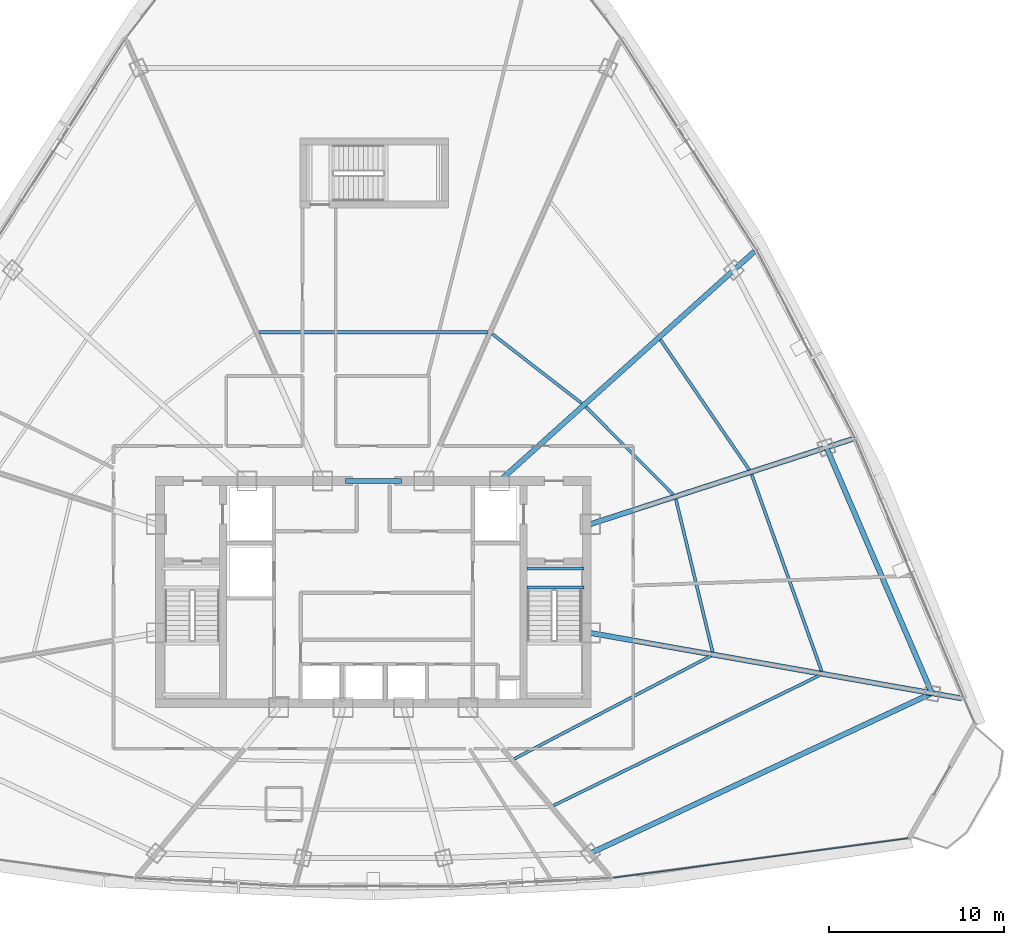
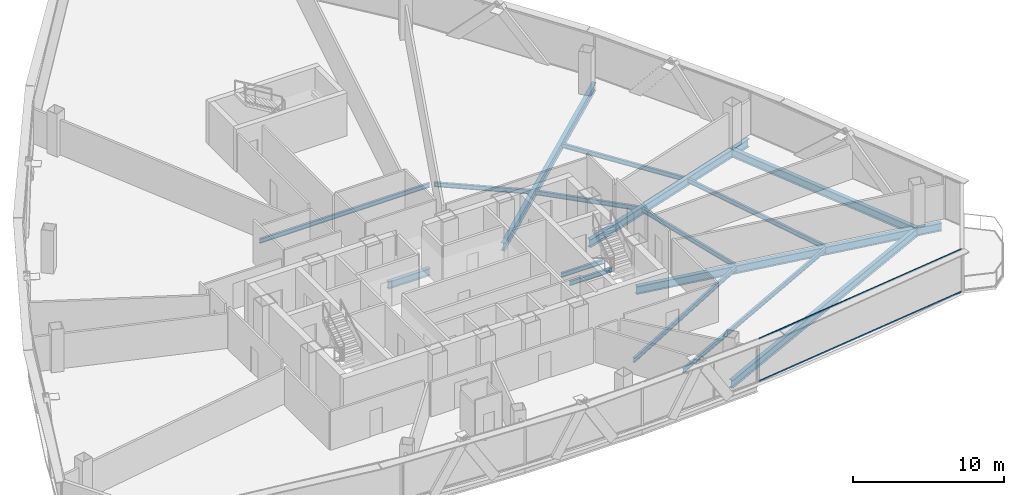
# One storey, part 15 of 37: 16 beams, 2 members, 1 element without a shape of its own.
"""IFC4 building model written with IfcOpenShell, lengths in metres."""

from ifc_helpers import new_model, si_unit, direction, frame, origin, origin_2d, place, context, subcontext, project, spatial, hollow_rectangle, i_section, extrude, source, transform, mapped, material, layer, layer_set, material_profile, profile_set, type_object, element, aggregate, save


model = new_model("IFC4")

# Units and contexts
model_context = context("Model", 3, precision=1e-05, world=origin(), true_north=direction((0.0, 1.0)))
body_context = subcontext(model_context, "Body", "Model", "MODEL_VIEW")
ifc_project = project(units=[si_unit("LENGTHUNIT", "METRE"), si_unit("AREAUNIT", "SQUARE_METRE"), si_unit("VOLUMEUNIT", "CUBIC_METRE"), si_unit("PLANEANGLEUNIT", "RADIAN"), si_unit("MASSUNIT", "GRAM", prefix="KILO"), si_unit("THERMODYNAMICTEMPERATUREUNIT", "KELVIN"), si_unit("POWERUNIT", "WATT")], contexts=[model_context])

# Site, building, storey
site_placement = place(None, origin())
site = spatial("IfcSite", under=ifc_project, at=site_placement, CompositionType="ELEMENT")
building_placement = place(site_placement, origin())
building = spatial("IfcBuilding", under=site, at=building_placement, Name="Yunzhuo Pagoda Commons", CompositionType="ELEMENT")
storey_placement = place(building_placement, frame((0.0, 0.0, 259.449951171875)))
storey = spatial("IfcBuildingStorey", under=building, at=storey_placement, Name="L65", CompositionType="ELEMENT", Elevation=259.449951171875)

# Beams
ifc_material_1 = material(Name="Structural steel Q355B", Category="steel")
ifc_material_profile_1 = material_profile(ifc_material_1, i_section(OverallWidth=0.175048828125, OverallDepth=0.35009765625, WebThickness=0.007080078125, FlangeThickness=0.010986328125, at=origin_2d()), Name="Structural steel Q355B")
ifc_profile_set_1 = profile_set([ifc_material_profile_1], Name="Structural steel Q355B")
beam_type_1 = type_object("IfcBeamType", Name="B-JS2 Joist HN 350x175x7x11", PredefinedType="JOIST", material=ifc_profile_set_1)
shared_shape_1 = source(origin(), body_context, "Body", "SweptSolid", [
    extrude(i_section(OverallWidth=0.175048828125, OverallDepth=0.35009765625, WebThickness=0.007080078125, FlangeThickness=0.010986328125, at=origin_2d()), origin(), (0.0, 0.0, 1.0), 3.25),
])
for number, where, z_axis, x_axis, name in (
    (1, (56.800048828125, 34.10009765625, -0.375), (1.0, 0.0, 0.0), (0.0, 1.0, 0.0), "L65 ST2 landing support beam 169A"),
    (2, (56.800048828125, 35.199951171875, -0.375), (1.0, 0.0, 0.0), (0.0, 1.0, 0.0), "L65 ST2 landing support beam 169B"),
):
    element("IfcBeam", number, at=place(storey_placement, frame(where, z_axis=z_axis, x_axis=x_axis)), inside=storey, type_object=beam_type_1, Name=name, PredefinedType="JOIST", context=body_context, shape_type="MappedRepresentation", body=[
        mapped(shared_shape_1, transform((0.0, 0.0, 0.0), scale=1.0)),
    ])
ifc_material_2 = material(Name="Structural steel Q420B", Category="steel")
ifc_material_profile_2 = material_profile(ifc_material_2, i_section(OverallWidth=0.300048828125, OverallDepth=0.587890625, WebThickness=0.011962890625, FlangeThickness=0.02001953125, at=origin_2d()), Name="Structural steel Q420B")
ifc_profile_set_2 = profile_set([ifc_material_profile_2], Name="Structural steel Q420B")
beam_type_2 = type_object("IfcBeamType", Name="B-CPL Beam HM 588x300x12x20", PredefinedType="BEAM", material=ifc_profile_set_2)
shared_shape_2 = source(origin(), body_context, "Body", "SweptSolid", [
    extrude(i_section(OverallWidth=0.300048828125, OverallDepth=0.587890625, WebThickness=0.011962890625, FlangeThickness=0.02001953125, at=origin_2d()), origin(), (0.0, 0.0, 1.0), 3.2001953125),
])
beam_1_placement = place(storey_placement, frame((46.39990234375, 40.199951171875, -0.553955078125), z_axis=(1.0, 0.0, 0.0), x_axis=(0.0, 1.0, 0.0)))
element("IfcBeam", 3, at=beam_1_placement, inside=storey, type_object=beam_type_2, Name="L65 core coupling girder", PredefinedType="BEAM", context=body_context, shape_type="MappedRepresentation", body=[
    mapped(shared_shape_2, transform((0.0, 0.0, 0.0), scale=1.0)),
])
ifc_material_profile_3 = material_profile(ifc_material_1, i_section(OverallWidth=0.300048828125, OverallDepth=0.64990234375, WebThickness=0.012939453125, FlangeThickness=0.02197265625, at=origin_2d()), Name="Structural steel Q355B")
ifc_profile_set_3 = profile_set([ifc_material_profile_3], Name="Structural steel Q355B")
beam_type_3 = type_object("IfcBeamType", Name="B-RG2 Beam HN 650x300x13x22", PredefinedType="BEAM", material=ifc_profile_set_3)
shared_shape_3 = source(origin(), body_context, "Body", "SweptSolid", [
    extrude(i_section(OverallWidth=0.300048828125, OverallDepth=0.64990234375, WebThickness=0.012939453125, FlangeThickness=0.02197265625, at=origin_2d()), origin(), (0.0, 0.0, 1.0), 21.56689453125),
])
beam_2_placement = place(storey_placement, frame((60.406982421875, 18.913818359375, -0.5849609375), z_axis=(0.905424265365, 0.424507832304, 0.0), x_axis=(-0.424507832304, 0.905424265365, 0.0)))
element("IfcBeam", 4, at=beam_2_placement, inside=storey, type_object=beam_type_3, Name="L65 column-ring beam 4", PredefinedType="BEAM", context=body_context, shape_type="MappedRepresentation", body=[
    mapped(shared_shape_3, transform((0.0, 0.0, 0.0), scale=1.0)),
])
shared_shape_4 = source(origin(), body_context, "Body", "SweptSolid", [
    extrude(i_section(OverallWidth=0.300048828125, OverallDepth=0.64990234375, WebThickness=0.012939453125, FlangeThickness=0.02197265625, at=origin_2d()), origin(), (0.0, 0.0, 1.0), 15.28759765625),
])
beam_3_placement = place(storey_placement, frame((79.93408203125, 28.069091796875, -0.5849609375), z_axis=(-0.394788372839, 0.918772083093, 0.0), x_axis=(-0.918772083093, -0.394788372839, 0.0)))
element("IfcBeam", 5, at=beam_3_placement, inside=storey, type_object=beam_type_3, Name="L65 column-ring beam 5", PredefinedType="BEAM", context=body_context, shape_type="MappedRepresentation", body=[
    mapped(shared_shape_4, transform((0.0, 0.0, 0.0), scale=1.0)),
])
shared_shape_5 = source(origin(), body_context, "Body", "SweptSolid", [
    extrude(i_section(OverallWidth=0.175048828125, OverallDepth=0.35009765625, WebThickness=0.007080078125, FlangeThickness=0.010986328125, at=origin_2d()), origin(), (0.0, 0.0, 1.0), 12.666259765625),
])
beam_4_placement = place(storey_placement, frame((56.0712890625, 24.32275390625, -0.43505859375), z_axis=(0.885841344078, 0.463988268302, 0.0), x_axis=(-0.463988268302, 0.885841344078, 0.0)))
element("IfcBeam", 6, at=beam_4_placement, inside=storey, type_object=beam_type_1, Name="L65 composite ring joist 1.4", PredefinedType="JOIST", context=body_context, shape_type="MappedRepresentation", body=[
    mapped(shared_shape_5, transform((0.0, 0.0, 0.0), scale=1.0)),
])
shared_shape_6 = source(origin(), body_context, "Body", "SweptSolid", [
    extrude(i_section(OverallWidth=0.175048828125, OverallDepth=0.35009765625, WebThickness=0.007080078125, FlangeThickness=0.010986328125, at=origin_2d()), origin(), (0.0, 0.0, 1.0), 16.95361328125),
])
beam_5_placement = place(storey_placement, frame((58.3115234375, 21.6513671875, -0.43505859375), z_axis=(0.898261717675, 0.439460904473, 0.0), x_axis=(-0.439460904473, 0.898261717675, 0.0)))
element("IfcBeam", 7, at=beam_5_placement, inside=storey, type_object=beam_type_1, Name="L65 composite ring joist 2.4", PredefinedType="JOIST", context=body_context, shape_type="MappedRepresentation", body=[
    mapped(shared_shape_6, transform((0.0, 0.0, 0.0), scale=1.0)),
])
shared_shape_7 = source(origin(), body_context, "Body", "SweptSolid", [
    extrude(i_section(OverallWidth=0.175048828125, OverallDepth=0.35009765625, WebThickness=0.007080078125, FlangeThickness=0.010986328125, at=origin_2d()), origin(), (0.0, 0.0, 1.0), 8.973876953125),
])
beam_6_placement = place(storey_placement, frame((67.395263671875, 30.42822265625, -0.43505859375), z_axis=(-0.233858589105, 0.972270620919, 0.0), x_axis=(-0.972270620919, -0.233858589105, 0.0)))
element("IfcBeam", 8, at=beam_6_placement, inside=storey, type_object=beam_type_1, Name="L65 composite ring joist 1.5", PredefinedType="JOIST", context=body_context, shape_type="MappedRepresentation", body=[
    mapped(shared_shape_7, transform((0.0, 0.0, 0.0), scale=1.0)),
])
shared_shape_8 = source(origin(), body_context, "Body", "SweptSolid", [
    extrude(i_section(OverallWidth=0.175048828125, OverallDepth=0.35009765625, WebThickness=0.007080078125, FlangeThickness=0.010986328125, at=origin_2d()), origin(), (0.0, 0.0, 1.0), 11.929931640625),
])
beam_7_placement = place(storey_placement, frame((73.6298828125, 29.3212890625, -0.43505859375), z_axis=(-0.335086374925, 0.942187413066, 0.0), x_axis=(-0.942187413066, -0.335086374925, 0.0)))
element("IfcBeam", 9, at=beam_7_placement, inside=storey, type_object=beam_type_1, Name="L65 composite ring joist 2.5", PredefinedType="JOIST", context=body_context, shape_type="MappedRepresentation", body=[
    mapped(shared_shape_8, transform((0.0, 0.0, 0.0), scale=1.0)),
])
shared_shape_9 = source(origin(), body_context, "Body", "SweptSolid", [
    extrude(i_section(OverallWidth=0.175048828125, OverallDepth=0.35009765625, WebThickness=0.007080078125, FlangeThickness=0.010986328125, at=origin_2d()), origin(), (0.0, 0.0, 1.0), 7.0732421875),
])
beam_8_placement = place(storey_placement, frame((65.147216796875, 39.42041015625, -0.43505859375), z_axis=(-0.706139657206, 0.708072584218, 0.0), x_axis=(-0.708072584218, -0.706139657206, 0.0)))
element("IfcBeam", 10, at=beam_8_placement, inside=storey, type_object=beam_type_1, Name="L65 composite ring joist 1.6", PredefinedType="JOIST", context=body_context, shape_type="MappedRepresentation", body=[
    mapped(shared_shape_9, transform((0.0, 0.0, 0.0), scale=1.0)),
])
shared_shape_10 = source(origin(), body_context, "Body", "SweptSolid", [
    extrude(i_section(OverallWidth=0.175048828125, OverallDepth=0.35009765625, WebThickness=0.007080078125, FlangeThickness=0.010986328125, at=origin_2d()), origin(), (0.0, 0.0, 1.0), 8.99365234375),
])
beam_9_placement = place(storey_placement, frame((69.4892578125, 40.8427734375, -0.43505859375), z_axis=(-0.564098900337, 0.825707230584, 0.0), x_axis=(-0.825707230584, -0.564098900337, 0.0)))
element("IfcBeam", 11, at=beam_9_placement, inside=storey, type_object=beam_type_1, Name="L65 composite ring joist 2.6", PredefinedType="JOIST", context=body_context, shape_type="MappedRepresentation", body=[
    mapped(shared_shape_10, transform((0.0, 0.0, 0.0), scale=1.0)),
])
shared_shape_11 = source(origin(), body_context, "Body", "SweptSolid", [
    extrude(i_section(OverallWidth=0.175048828125, OverallDepth=0.35009765625, WebThickness=0.007080078125, FlangeThickness=0.010986328125, at=origin_2d()), origin(), (0.0, 0.0, 1.0), 6.4677734375),
])
beam_10_placement = place(storey_placement, frame((59.914794921875, 44.638671875, -0.43505859375), z_axis=(-0.790160481991, 0.612900002202, 0.0), x_axis=(-0.612900002202, -0.790160481991, 0.0)))
element("IfcBeam", 12, at=beam_10_placement, inside=storey, type_object=beam_type_1, Name="L65 composite ring joist 1.7", PredefinedType="JOIST", context=body_context, shape_type="MappedRepresentation", body=[
    mapped(shared_shape_11, transform((0.0, 0.0, 0.0), scale=1.0)),
])
shared_shape_12 = source(origin(), body_context, "Body", "SweptSolid", [
    extrude(i_section(OverallWidth=0.175048828125, OverallDepth=0.35009765625, WebThickness=0.007080078125, FlangeThickness=0.010986328125, at=origin_2d()), origin(), (0.0, 0.0, 1.0), 13.0390625),
])
beam_11_placement = place(storey_placement, frame((54.51953125, 48.7001953125, -0.43505859375), z_axis=(-1.0, 0.0, 0.0), x_axis=(0.0, -1.0, 0.0)))
element("IfcBeam", 13, at=beam_11_placement, inside=storey, type_object=beam_type_1, Name="L65 composite ring joist 1.8", PredefinedType="JOIST", context=body_context, shape_type="MappedRepresentation", body=[
    mapped(shared_shape_12, transform((0.0, 0.0, 0.0), scale=1.0)),
])
shared_shape_13 = source(origin(), body_context, "Body", "SweptSolid", [
    extrude(i_section(OverallWidth=0.300048828125, OverallDepth=0.64990234375, WebThickness=0.012939453125, FlangeThickness=0.02197265625, at=origin_2d()), origin(), (0.0, 0.0, 1.0), 21.561279296875),
])
beam_12_placement = place(storey_placement, frame((81.633544921875, 27.76953125, -0.5849609375), z_axis=(-0.984809082291, 0.173640638784, 0.0), x_axis=(-0.173640638784, -0.984809082291, 0.0)))
element("IfcBeam", 14, at=beam_12_placement, inside=storey, type_object=beam_type_3, Name="L65 radial floor girder F2C1", PredefinedType="BEAM", context=body_context, shape_type="MappedRepresentation", body=[
    mapped(shared_shape_13, transform((0.0, 0.0, 0.0), scale=1.0)),
])
shared_shape_14 = source(origin(), body_context, "Body", "SweptSolid", [
    extrude(i_section(OverallWidth=0.300048828125, OverallDepth=0.64990234375, WebThickness=0.012939453125, FlangeThickness=0.02197265625, at=origin_2d()), origin(), (0.0, 0.0, 1.0), 15.7705078125),
])
beam_13_placement = place(storey_placement, frame((75.398681640625, 42.602294921875, -0.5849609375), z_axis=(-0.951058525128, -0.309010811754, 0.0), x_axis=(0.309010811754, -0.951058525128, 0.0)))
element("IfcBeam", 15, at=beam_13_placement, inside=storey, type_object=beam_type_3, Name="L65 radial floor girder F2C2", PredefinedType="BEAM", context=body_context, shape_type="MappedRepresentation", body=[
    mapped(shared_shape_14, transform((0.0, 0.0, 0.0), scale=1.0)),
])
shared_shape_15 = source(origin(), body_context, "Body", "SweptSolid", [
    extrude(i_section(OverallWidth=0.300048828125, OverallDepth=0.64990234375, WebThickness=0.012939453125, FlangeThickness=0.02197265625, at=origin_2d()), origin(), (0.0, 0.0, 1.0), 19.60302734375),
])
beam_14_placement = place(storey_placement, frame((69.78662109375, 53.317138671875, -0.5849609375), z_axis=(-0.743133733174, -0.669142925405, 0.0), x_axis=(0.669142925405, -0.743133733174, 0.0)))
element("IfcBeam", 16, at=beam_14_placement, inside=storey, type_object=beam_type_3, Name="L65 radial floor girder F2C3", PredefinedType="BEAM", context=body_context, shape_type="MappedRepresentation", body=[
    mapped(shared_shape_15, transform((0.0, 0.0, 0.0), scale=1.0)),
])

# Curtain wall, members
ifc_material_3 = material(Name="Anodized aluminium 6063-T6", Category="aluminium")
ifc_layer = layer(ifc_material_3, 0.139892578125)
ifc_layer_set = layer_set([ifc_layer], Name="Anodized aluminium 6063-T6")
curtain_wall_type = type_object("IfcCurtainWallType", Name="CW-HI High-Zone Ribbon Curtain Wall", PredefinedType="NOTDEFINED", material=ifc_layer_set)
curtain_wall_placement = place(storey_placement, origin())
curtain_wall = element("IfcCurtainWall", 17, at=curtain_wall_placement, inside=storey, type_object=curtain_wall_type, Name="L65 curtain wall CW-L65-F1B5", PredefinedType="NOTDEFINED")
ifc_material_profile_4 = material_profile(ifc_material_3, hollow_rectangle(XDim=0.054931640625, YDim=0.1201171875, WallThickness=0.00341796875, at=origin_2d()), Name="Anodized aluminium 6063-T6")
ifc_profile_set_4 = profile_set([ifc_material_profile_4], Name="Anodized aluminium 6063-T6")
member_type = type_object("IfcMemberType", Name="CW-HI-T Transom RHS 120x55x3.5", PredefinedType="USERDEFINED", material=ifc_profile_set_4)
shared_shape_16 = source(origin(), body_context, "Body", "SweptSolid", [
    extrude(hollow_rectangle(XDim=0.054931640625, YDim=0.1201171875, WallThickness=0.00341796875, at=origin_2d()), origin(), (0.0, 0.0, 1.0), 16.98193359375),
])
member_1_placement = place(storey_placement, frame((61.729248046875, 17.515380859375, 0.027587890625), z_axis=(0.991158834011, 0.132680690992, 0.0), x_axis=(-0.132680690992, 0.991158834011, 0.0)))
member_1 = element("IfcMember", 18, at=member_1_placement, type_object=member_type, Name="CW transom 1.1", ObjectType="TRANSOM", PredefinedType="USERDEFINED", context=body_context, shape_type="MappedRepresentation", body=[
    mapped(shared_shape_16, transform((0.0, 0.0, 0.0), scale=1.0)),
])
member_2_placement = place(storey_placement, frame((61.729248046875, 17.515380859375, 3.442626953125), z_axis=(0.991158834011, 0.132680690992, 0.0), x_axis=(-0.132680690992, 0.991158834011, 0.0)))
member_2 = element("IfcMember", 19, at=member_2_placement, type_object=member_type, Name="CW transom 1.2", ObjectType="TRANSOM", PredefinedType="USERDEFINED", context=body_context, shape_type="MappedRepresentation", body=[
    mapped(shared_shape_16, transform((0.0, 0.0, 0.0), scale=1.0)),
])
aggregate(curtain_wall, [member_1, member_2])

save(model, "model.ifc")
